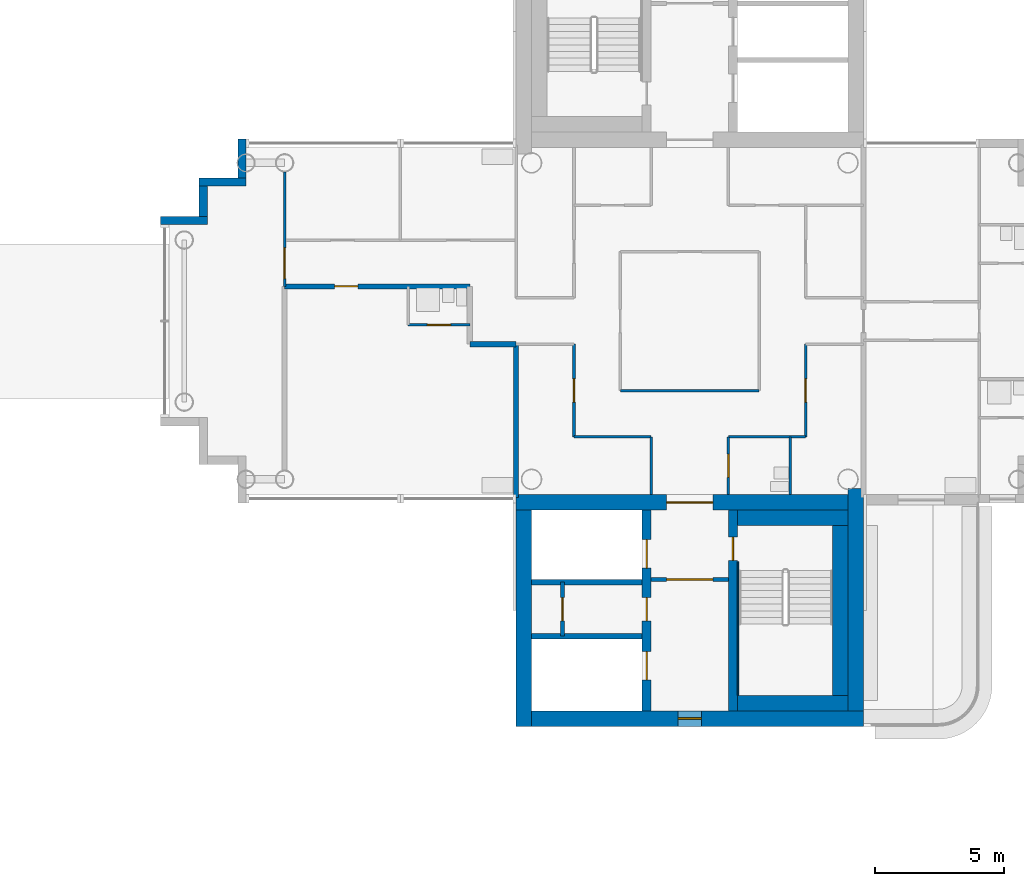
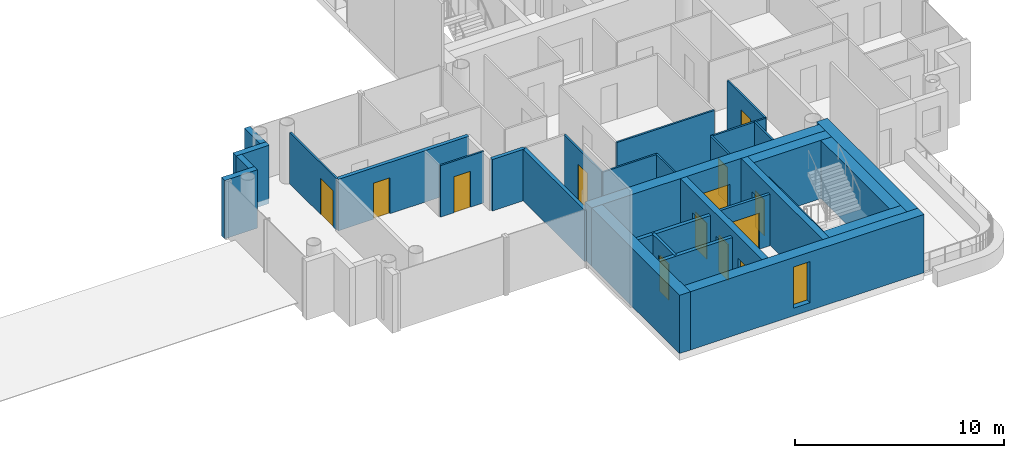
# One storey, part 10 of 19: 31 walls, 13 doors, 1 window, 14 openings.
"""IFC4 building model written with IfcOpenShell, lengths in metres."""

from ifc_helpers import new_model, si_unit, direction, frame, frame_2d, origin, place, context, subcontext, project, spatial, rectangle, extrude, material, layer, layer_set, type_object, element, fill, save


model = new_model("IFC4")

# Units and contexts
model_context = context("Model", 3, precision=1e-05, world=origin(), true_north=direction((0.0, 1.0)))
body_context = subcontext(model_context, "Body", "Model", "MODEL_VIEW")
ifc_project = project(units=[si_unit("LENGTHUNIT", "METRE"), si_unit("AREAUNIT", "SQUARE_METRE"), si_unit("VOLUMEUNIT", "CUBIC_METRE"), si_unit("PLANEANGLEUNIT", "RADIAN"), si_unit("MASSUNIT", "GRAM", prefix="KILO")], contexts=[model_context])

# Site, building, storey
site_placement = place(None, origin())
site = spatial("IfcSite", under=ifc_project, at=site_placement, CompositionType="ELEMENT")
building_placement = place(site_placement, origin())
building = spatial("IfcBuilding", under=site, at=building_placement, Name="Ipe Terrace Towers", CompositionType="ELEMENT")
storey_placement = place(building_placement, frame((0.0, 0.0, 185.800048828125)))
storey = spatial("IfcBuildingStorey", under=building, at=storey_placement, Name="L51", CompositionType="ELEMENT", Elevation=185.800048828125)

# Walls
ifc_material_1 = material(Name="Concrete C40/50 with buff precast cladding", Category="concrete")
ifc_layer_1 = layer(ifc_material_1, 0.320068359375)
ifc_layer_set_1 = layer_set([ifc_layer_1], Name="BUFF CLADDING WALL 320")
wall_type_1 = type_object("IfcWallType", Name="BUFF CLADDING WALL 320", PredefinedType="STANDARD", material=ifc_layer_set_1)
wall_1_placement = place(storey_placement, frame((18.590087890625, 7.070068359375, -0.300048828125), z_axis=(0.0, 0.0, 1.0), x_axis=(0.0, -1.0, 0.0)))
element("IfcWall", 1, at=wall_1_placement, inside=storey, type_object=wall_type_1, Name="T2-W-L51-22a wall", PredefinedType="STANDARD", context=body_context, shape_type="SweptSolid", body=[
    extrude(rectangle(XDim=1.5, YDim=0.320068359375, at=frame_2d((0.75, 0.0))), origin(), (0.0, 0.0, 1.0), 3.39990234375),
])
wall_2_placement = place(storey_placement, frame((18.75, 5.409912109375, -0.300048828125), z_axis=(0.0, 0.0, 1.0), x_axis=(-1.0, 0.0, 0.0)))
element("IfcWall", 2, at=wall_2_placement, inside=storey, type_object=wall_type_1, Name="T2-W-L51-23a wall", PredefinedType="STANDARD", context=body_context, shape_type="SweptSolid", body=[
    extrude(rectangle(XDim=1.820068359375, YDim=0.320068359375, at=frame_2d((0.91015625, 0.0))), origin(), (0.0, 0.0, 1.0), 3.39990234375),
])
wall_3_placement = place(storey_placement, frame((17.090087890625, 5.25, -0.300048828125), z_axis=(0.0, 0.0, 1.0), x_axis=(0.0, -1.0, 0.0)))
element("IfcWall", 3, at=wall_3_placement, inside=storey, type_object=wall_type_1, Name="T2-W-L51-24a wall", PredefinedType="STANDARD", context=body_context, shape_type="SweptSolid", body=[
    extrude(rectangle(XDim=1.179931640625, YDim=0.320068359375, at=frame_2d((0.58984375, 0.0))), origin(), (0.0, 0.0, 1.0), 3.39990234375),
])
wall_4_placement = place(storey_placement, frame((17.25, 3.909912109375, -0.300048828125), z_axis=(0.0, 0.0, 1.0), x_axis=(-1.0, 0.0, 0.0)))
element("IfcWall", 4, at=wall_4_placement, inside=storey, type_object=wall_type_1, Name="T2-W-L51-25a wall", PredefinedType="STANDARD", context=body_context, shape_type="SweptSolid", body=[
    extrude(rectangle(XDim=1.820068359375, YDim=0.320068359375, at=frame_2d((0.91015625, 0.0))), origin(), (0.0, 0.0, 1.0), 3.39990234375),
])
ifc_material_2 = material(Name="Gypsum board partition", Category="plasterboard")
ifc_layer_2 = layer(ifc_material_2, 0.10009765625)
ifc_layer_set_2 = layer_set([ifc_layer_2], Name="Gypsum board partition 100 mm")
wall_type_2 = type_object("IfcWallType", Name="Gypsum board partition 100 mm", PredefinedType="PARTITIONING", material=ifc_layer_set_2)
for number, where, z_axis, x_axis, name in (
    (5, (40.5, -4.5, 0.0), (0.0, 0.0, 1.0), (-1.0, 0.0, 0.0), "Gypsum board partition T2 L51 W01"),
    (6, (34.5, -4.5, 0.0), (0.0, 0.0, 1.0), (-1.0, 0.0, 0.0), "Gypsum board partition T2 L51 W02"),
):
    element("IfcWall", number, at=place(storey_placement, frame(where, z_axis=z_axis, x_axis=x_axis)), inside=storey, type_object=wall_type_2, Name=name, PredefinedType="PARTITIONING", context=body_context, shape_type="SweptSolid", body=[
        extrude(rectangle(XDim=3.0, YDim=0.10009765625, at=frame_2d((1.5, 0.0))), origin(), (0.0, 0.0, 1.0), 3.0),
    ])
wall_5_placement = place(storey_placement, frame((38.699951171875, -2.699951171875, 0.0), z_axis=(0.0, 0.0, 1.0), x_axis=(-1.0, 0.0, 0.0)))
element("IfcWall", 7, at=wall_5_placement, inside=storey, type_object=wall_type_2, Name="Gypsum board partition T2 L51 W04", PredefinedType="PARTITIONING", context=body_context, shape_type="SweptSolid", body=[
    extrude(rectangle(XDim=5.39990234375, YDim=0.10009765625, at=frame_2d((2.699951171875, 0.0))), origin(), (0.0, 0.0, 1.0), 3.0),
])

# Wall, opening, door
wall_6_placement = place(storey_placement, frame((27.449951171875, -0.14990234375, 0.0), z_axis=(0.0, 0.0, 1.0), x_axis=(-1.0, 0.0, 0.0)))
wall_6 = element("IfcWall", 8, at=wall_6_placement, inside=storey, type_object=wall_type_2, Name="Gypsum board partition T2 L51 W10", PredefinedType="PARTITIONING", context=body_context, shape_type="SweptSolid", body=[
    extrude(rectangle(XDim=2.39990234375, YDim=0.10009765625, at=frame_2d((1.199951171875, 0.0))), origin(), (0.0, 0.0, 1.0), 3.0),
])
opening_1_placement = place(wall_6_placement, frame((0.75, 0.0, 0.0)))
opening_1 = element("IfcOpeningElement", 9, at=opening_1_placement, cuts=wall_6, Name="Opening T2-Z4C-11", PredefinedType="OPENING", context=body_context, shape_type="SweptSolid", body=[
    extrude(rectangle(XDim=0.89990234375, YDim=2.10009765625, at=frame_2d((0.449951171875, 1.050048828125))), frame((0.0, 0.06005859375, 0.0), z_axis=(0.0, -1.0, 0.0), x_axis=(1.0, 0.0, 0.0)), (0.0, 0.0, 1.0), 0.1201171875),
])
ifc_material_3 = material(Name="Timber door leaf", Category="wood")
door_type_1 = type_object("IfcDoorType", Name="Bathroom door 900 x 2100", OperationType="NOTDEFINED", PredefinedType="DOOR", material=ifc_material_3)
door_1_placement = place(opening_1_placement, origin())
door_1 = element("IfcDoor", 10, at=door_1_placement, inside=storey, type_object=door_type_1, Name="Bathroom door T2-Z4C-11", OperationType="SINGLE_SWING_RIGHT", OverallHeight=2.10009765625, OverallWidth=0.89990234375, PredefinedType="DOOR", context=body_context, shape_type="SweptSolid", body=[
    extrude(rectangle(XDim=0.89990234375, YDim=2.10009765625, at=frame_2d((0.449951171875, 1.050048828125))), frame((0.0, 0.02490234375, 0.0), z_axis=(0.0, -1.0, 0.0), x_axis=(1.0, 0.0, 0.0)), (0.0, 0.0, 1.0), 0.050048828125),
])
fill(opening_1, door_1)

wall_7_placement = place(storey_placement, frame((40.5, -4.5, 0.0), z_axis=(0.0, 0.0, 1.0), x_axis=(0.0, 1.0, 0.0)))
wall_7 = element("IfcWall", 11, at=wall_7_placement, inside=storey, type_object=wall_type_2, Name="Gypsum board partition T2 L51 W25", PredefinedType="PARTITIONING", context=body_context, shape_type="SweptSolid", body=[
    extrude(rectangle(XDim=3.60009765625, YDim=0.10009765625, at=frame_2d((1.800048828125, 0.0))), origin(), (0.0, 0.0, 1.0), 3.0),
])
opening_2_placement = place(wall_7_placement, frame((1.35009765625, 0.0, 0.0)))
opening_2 = element("IfcOpeningElement", 12, at=opening_2_placement, cuts=wall_7, Name="Opening T2-Z4C-07", PredefinedType="OPENING", context=body_context, shape_type="SweptSolid", body=[
    extrude(rectangle(XDim=0.89990234375, YDim=2.10009765625, at=frame_2d((0.449951171875, 1.050048828125))), frame((0.0, 0.06005859375, 0.0), z_axis=(0.0, -1.0, 0.0), x_axis=(1.0, 0.0, 0.0)), (0.0, 0.0, 1.0), 0.1201171875),
])
ifc_material_4 = material(Name="Timber door leaf", Category="wood")
door_type_2 = type_object("IfcDoorType", Name="Lounge door 900 x 2100", OperationType="NOTDEFINED", PredefinedType="DOOR", material=ifc_material_4)
door_2_placement = place(opening_2_placement, origin())
door_2 = element("IfcDoor", 13, at=door_2_placement, inside=storey, type_object=door_type_2, Name="Lounge door T2-Z4C-07", OperationType="SINGLE_SWING_LEFT", OverallHeight=2.10009765625, OverallWidth=0.89990234375, PredefinedType="DOOR", context=body_context, shape_type="SweptSolid", body=[
    extrude(rectangle(XDim=0.89990234375, YDim=2.10009765625, at=frame_2d((0.449951171875, 1.050048828125))), frame((0.0, 0.02490234375, 0.0), z_axis=(0.0, -1.0, 0.0), x_axis=(1.0, 0.0, 0.0)), (0.0, 0.0, 1.0), 0.050048828125),
])
fill(opening_2, door_2)

# Wall
wall_8_placement = place(storey_placement, frame((39.89990234375, -6.75, 0.0), z_axis=(0.0, 0.0, 1.0), x_axis=(0.0, 1.0, 0.0)))
element("IfcWall", 14, at=wall_8_placement, inside=storey, type_object=wall_type_2, Name="Gypsum board partition T2 L51 W27", PredefinedType="PARTITIONING", context=body_context, shape_type="SweptSolid", body=[
    extrude(rectangle(XDim=2.25, YDim=0.10009765625, at=frame_2d((1.125, 0.0))), origin(), (0.0, 0.0, 1.0), 3.0),
])

# Wall, opening, door
wall_9_placement = place(storey_placement, frame((37.5, -6.75, 0.0), z_axis=(0.0, 0.0, 1.0), x_axis=(0.0, 1.0, 0.0)))
wall_9 = element("IfcWall", 15, at=wall_9_placement, inside=storey, type_object=wall_type_2, Name="Gypsum board partition T2 L51 W29", PredefinedType="PARTITIONING", context=body_context, shape_type="SweptSolid", body=[
    extrude(rectangle(XDim=2.25, YDim=0.10009765625, at=frame_2d((1.125, 0.0))), origin(), (0.0, 0.0, 1.0), 3.0),
])
opening_3_placement = place(wall_9_placement, frame((0.675048828125, 0.0, 0.0)))
opening_3 = element("IfcOpeningElement", 16, at=opening_3_placement, cuts=wall_9, Name="Opening T2-Z4C-03", PredefinedType="OPENING", context=body_context, shape_type="SweptSolid", body=[
    extrude(rectangle(XDim=0.89990234375, YDim=2.10009765625, at=frame_2d((0.449951171875, 1.050048828125))), frame((0.0, 0.06005859375, 0.0), z_axis=(0.0, -1.0, 0.0), x_axis=(1.0, 0.0, 0.0)), (0.0, 0.0, 1.0), 0.1201171875),
])
door_3_placement = place(opening_3_placement, origin())
door_3 = element("IfcDoor", 17, at=door_3_placement, inside=storey, type_object=door_type_1, Name="Bathroom door T2-Z4C-03", OperationType="SINGLE_SWING_RIGHT", OverallHeight=2.10009765625, OverallWidth=0.89990234375, PredefinedType="DOOR", context=body_context, shape_type="SweptSolid", body=[
    extrude(rectangle(XDim=0.89990234375, YDim=2.10009765625, at=frame_2d((0.449951171875, 1.050048828125))), frame((0.0, 0.02490234375, 0.0), z_axis=(0.0, -1.0, 0.0), x_axis=(1.0, 0.0, 0.0)), (0.0, 0.0, 1.0), 0.050048828125),
])
fill(opening_3, door_3)

# Wall
wall_10_placement = place(storey_placement, frame((34.5, -6.75, 0.0), z_axis=(0.0, 0.0, 1.0), x_axis=(0.0, 1.0, 0.0)))
element("IfcWall", 18, at=wall_10_placement, inside=storey, type_object=wall_type_2, Name="Gypsum board partition T2 L51 W31", PredefinedType="PARTITIONING", context=body_context, shape_type="SweptSolid", body=[
    extrude(rectangle(XDim=2.25, YDim=0.10009765625, at=frame_2d((1.125, 0.0))), origin(), (0.0, 0.0, 1.0), 3.0),
])

# Wall, opening, door
wall_11_placement = place(storey_placement, frame((31.5, -4.5, 0.0), z_axis=(0.0, 0.0, 1.0), x_axis=(0.0, 1.0, 0.0)))
wall_11 = element("IfcWall", 19, at=wall_11_placement, inside=storey, type_object=wall_type_2, Name="Gypsum board partition T2 L51 W34", PredefinedType="PARTITIONING", context=body_context, shape_type="SweptSolid", body=[
    extrude(rectangle(XDim=3.60009765625, YDim=0.10009765625, at=frame_2d((1.800048828125, 0.0))), origin(), (0.0, 0.0, 1.0), 3.0),
])
opening_4_placement = place(wall_11_placement, frame((1.35009765625, 0.0, 0.0)))
opening_4 = element("IfcOpeningElement", 20, at=opening_4_placement, cuts=wall_11, Name="Opening T2-Z4C-06", PredefinedType="OPENING", context=body_context, shape_type="SweptSolid", body=[
    extrude(rectangle(XDim=0.89990234375, YDim=2.10009765625, at=frame_2d((0.449951171875, 1.050048828125))), frame((0.0, 0.06005859375, 0.0), z_axis=(0.0, -1.0, 0.0), x_axis=(1.0, 0.0, 0.0)), (0.0, 0.0, 1.0), 0.1201171875),
])
door_4_placement = place(opening_4_placement, origin())
door_4 = element("IfcDoor", 21, at=door_4_placement, inside=storey, type_object=door_type_2, Name="Lounge door T2-Z4C-06", OperationType="SINGLE_SWING_LEFT", OverallHeight=2.10009765625, OverallWidth=0.89990234375, PredefinedType="DOOR", context=body_context, shape_type="SweptSolid", body=[
    extrude(rectangle(XDim=0.89990234375, YDim=2.10009765625, at=frame_2d((0.449951171875, 1.050048828125))), frame((0.0, 0.02490234375, 0.0), z_axis=(0.0, -1.0, 0.0), x_axis=(1.0, 0.0, 0.0)), (0.0, 0.0, 1.0), 0.050048828125),
])
fill(opening_4, door_4)

wall_12_placement = place(storey_placement, frame((20.25, 1.35009765625, 0.0), z_axis=(0.0, 0.0, 1.0), x_axis=(0.0, 1.0, 0.0)))
wall_12 = element("IfcWall", 22, at=wall_12_placement, inside=storey, type_object=wall_type_2, Name="Gypsum board partition T2 L51 W41", PredefinedType="PARTITIONING", context=body_context, shape_type="SweptSolid", body=[
    extrude(rectangle(XDim=4.449951171875, YDim=0.10009765625, at=frame_2d((2.22509765625, 0.0))), origin(), (0.0, 0.0, 1.0), 3.0),
])
opening_5_placement = place(wall_12_placement, frame((0.300048828125, 0.0, 0.0)))
opening_5 = element("IfcOpeningElement", 23, at=opening_5_placement, cuts=wall_12, Name="Opening T2-Z4C-14", PredefinedType="OPENING", context=body_context, shape_type="SweptSolid", body=[
    extrude(rectangle(XDim=1.199951171875, YDim=2.10009765625, at=frame_2d((0.60009765625, 1.050048828125))), frame((0.0, 0.06005859375, 0.0), z_axis=(0.0, -1.0, 0.0), x_axis=(1.0, 0.0, 0.0)), (0.0, 0.0, 1.0), 0.1201171875),
])
ifc_material_5 = material(Name="Timber door leaf", Category="wood")
door_type_3 = type_object("IfcDoorType", Name="Lounge door 1200 x 2100", OperationType="NOTDEFINED", PredefinedType="DOOR", material=ifc_material_5)
door_5_placement = place(opening_5_placement, origin())
door_5 = element("IfcDoor", 24, at=door_5_placement, inside=storey, type_object=door_type_3, Name="Lounge door T2-Z4C-14", OperationType="SINGLE_SWING_RIGHT", OverallHeight=2.10009765625, OverallWidth=1.199951171875, PredefinedType="DOOR", context=body_context, shape_type="SweptSolid", body=[
    extrude(rectangle(XDim=1.199951171875, YDim=2.10009765625, at=frame_2d((0.60009765625, 1.050048828125))), frame((0.0, 0.02490234375, 0.0), z_axis=(0.0, -1.0, 0.0), x_axis=(1.0, 0.0, 0.0)), (0.0, 0.0, 1.0), 0.050048828125),
])
fill(opening_5, door_5)

ifc_material_6 = material(Name="Gypsum board partition", Category="plasterboard")
ifc_layer_3 = layer(ifc_material_6, 0.14990234375)
ifc_layer_set_3 = layer_set([ifc_layer_3], Name="Gypsum board partition 150 mm")
wall_type_3 = type_object("IfcWallType", Name="Gypsum board partition 150 mm", PredefinedType="PARTITIONING", material=ifc_layer_set_3)
wall_13_placement = place(storey_placement, frame((34.5, -10.050048828125, 0.0), z_axis=(0.0, 0.0, 1.0), x_axis=(1.0, 0.0, 0.0)))
wall_13 = element("IfcWall", 25, at=wall_13_placement, inside=storey, type_object=wall_type_3, Name="Gypsum board partition T2 L51 t2c2-lobby-wall", PredefinedType="PARTITIONING", context=body_context, shape_type="SweptSolid", body=[
    extrude(rectangle(XDim=3.0, YDim=0.14990234375, at=frame_2d((1.5, 0.0))), origin(), (0.0, 0.0, 1.0), 3.0),
])
opening_6_placement = place(wall_13_placement, frame((0.60009765625, 0.0, 0.0)))
opening_6 = element("IfcOpeningElement", 26, at=opening_6_placement, cuts=wall_13, Name="Opening T2C2-VD", PredefinedType="OPENING", context=body_context, shape_type="SweptSolid", body=[
    extrude(rectangle(XDim=1.800048828125, YDim=2.10009765625, at=frame_2d((0.89990234375, 1.050048828125))), frame((0.0, 0.0849609375, 0.0), z_axis=(0.0, -1.0, 0.0), x_axis=(1.0, 0.0, 0.0)), (0.0, 0.0, 1.0), 0.169921875),
])
ifc_material_7 = material(Name="Fire-rated timber door leaf", Category="wood")
door_type_4 = type_object("IfcDoorType", Name="Lobby door 1800 x 2100 FD60", OperationType="NOTDEFINED", PredefinedType="DOOR", material=ifc_material_7)
door_6_placement = place(opening_6_placement, origin())
door_6 = element("IfcDoor", 27, at=door_6_placement, inside=storey, type_object=door_type_4, Name="Lobby door T2C2-VD", OperationType="SINGLE_SWING_LEFT", OverallHeight=2.10009765625, OverallWidth=1.800048828125, PredefinedType="DOOR", context=body_context, shape_type="SweptSolid", body=[
    extrude(rectangle(XDim=1.800048828125, YDim=2.10009765625, at=frame_2d((0.89990234375, 1.050048828125))), frame((0.0, 0.02490234375, 0.0), z_axis=(0.0, -1.0, 0.0), x_axis=(1.0, 0.0, 0.0)), (0.0, 0.0, 1.0), 0.050048828125),
])
fill(opening_6, door_6)

wall_14_placement = place(storey_placement, frame((31.050048828125, -10.14990234375, 0.0), z_axis=(0.0, 0.0, 1.0), x_axis=(0.0, -1.0, 0.0)))
wall_14 = element("IfcWall", 28, at=wall_14_placement, inside=storey, type_object=wall_type_3, Name="Gypsum board partition T2 L51 t2c2-q-back", PredefinedType="PARTITIONING", context=body_context, shape_type="SweptSolid", body=[
    extrude(rectangle(XDim=2.10009765625, YDim=0.14990234375, at=frame_2d((1.050048828125, 0.0))), origin(), (0.0, 0.0, 1.0), 3.0),
])
opening_7_placement = place(wall_14_placement, frame((0.60009765625, 0.0, 0.0)))
opening_7 = element("IfcOpeningElement", 29, at=opening_7_placement, cuts=wall_14, Name="Opening T2C2-RB", PredefinedType="OPENING", context=body_context, shape_type="SweptSolid", body=[
    extrude(rectangle(XDim=0.89990234375, YDim=2.10009765625, at=frame_2d((0.449951171875, 1.050048828125))), frame((0.0, 0.0849609375, 0.0), z_axis=(0.0, -1.0, 0.0), x_axis=(1.0, 0.0, 0.0)), (0.0, 0.0, 1.0), 0.169921875),
])
ifc_material_8 = material(Name="Fire-rated timber door leaf", Category="wood")
door_type_5 = type_object("IfcDoorType", Name="Service door 900 x 2100 FD60", OperationType="NOTDEFINED", PredefinedType="DOOR", material=ifc_material_8)
door_7_placement = place(opening_7_placement, origin())
door_7 = element("IfcDoor", 30, at=door_7_placement, inside=storey, type_object=door_type_5, Name="Service door T2C2-RB", OperationType="SINGLE_SWING_LEFT", OverallHeight=2.10009765625, OverallWidth=0.89990234375, PredefinedType="DOOR", context=body_context, shape_type="SweptSolid", body=[
    extrude(rectangle(XDim=0.89990234375, YDim=2.10009765625, at=frame_2d((0.449951171875, 1.050048828125))), frame((0.0, 0.02490234375, 0.0), z_axis=(0.0, -1.0, 0.0), x_axis=(1.0, 0.0, 0.0)), (0.0, 0.0, 1.0), 0.050048828125),
])
fill(opening_7, door_7)

# Walls
ifc_material_9 = material(Name="Gypsum board party wall", Category="plasterboard")
ifc_layer_4 = layer(ifc_material_9, 0.199951171875)
ifc_layer_set_4 = layer_set([ifc_layer_4], Name="Gypsum board party wall 200 mm")
wall_type_4 = type_object("IfcWallType", Name="Gypsum board party wall 200 mm", PredefinedType="SOLIDWALL", material=ifc_layer_set_4)
for number, where, z_axis, x_axis, name in (
    (31, (29.85009765625, -12.25, 0.0), (0.0, 0.0, 1.0), (1.0, 0.0, 0.0), "Gypsum board party wall T2 L51 t2c2-shaft-div2"),
    (32, (29.85009765625, -10.14990234375, 0.0), (0.0, 0.0, 1.0), (1.0, 0.0, 0.0), "Gypsum board party wall T2 L51 t2c2-shaft-div1"),
):
    element("IfcWall", number, at=place(storey_placement, frame(where, z_axis=z_axis, x_axis=x_axis)), inside=storey, type_object=wall_type_4, Name=name, PredefinedType="SOLIDWALL", context=body_context, shape_type="SweptSolid", body=[
        extrude(rectangle(XDim=4.2998046875, YDim=0.199951171875, at=frame_2d((2.14990234375, 0.0))), origin(), (0.0, 0.0, 1.0), 3.0),
    ])
wall_15_placement = place(storey_placement, frame((29.25, -0.89990234375, 0.0), z_axis=(0.0, 0.0, 1.0), x_axis=(-1.0, 0.0, 0.0)))
element("IfcWall", 33, at=wall_15_placement, inside=storey, type_object=wall_type_4, Name="Gypsum board party wall T2 L51 W08", PredefinedType="SOLIDWALL", context=body_context, shape_type="SweptSolid", body=[
    extrude(rectangle(XDim=1.800048828125, YDim=0.199951171875, at=frame_2d((0.89990234375, 0.0))), origin(), (0.0, 0.0, 1.0), 3.0),
])

# Wall, opening, door
wall_16_placement = place(storey_placement, frame((27.449951171875, 1.35009765625, 0.0), z_axis=(0.0, 0.0, 1.0), x_axis=(-1.0, 0.0, 0.0)))
wall_16 = element("IfcWall", 34, at=wall_16_placement, inside=storey, type_object=wall_type_4, Name="Gypsum board party wall T2 L51 W14", PredefinedType="SOLIDWALL", context=body_context, shape_type="SweptSolid", body=[
    extrude(rectangle(XDim=7.199951171875, YDim=0.199951171875, at=frame_2d((3.60009765625, 0.0))), origin(), (0.0, 0.0, 1.0), 3.0),
])
opening_8_placement = place(wall_16_placement, frame((4.35009765625, 0.0, 0.0)))
opening_8 = element("IfcOpeningElement", 35, at=opening_8_placement, cuts=wall_16, Name="Opening T2-Z4C-10", PredefinedType="OPENING", context=body_context, shape_type="SweptSolid", body=[
    extrude(rectangle(XDim=0.89990234375, YDim=2.10009765625, at=frame_2d((0.449951171875, 1.050048828125))), frame((0.0, 0.10986328125, 0.0), z_axis=(0.0, -1.0, 0.0), x_axis=(1.0, 0.0, 0.0)), (0.0, 0.0, 1.0), 0.219970703125),
])
ifc_material_10 = material(Name="Fire-rated timber door leaf", Category="wood")
door_type_6 = type_object("IfcDoorType", Name="Flat entrance door 900 x 2100 FD30S", OperationType="NOTDEFINED", PredefinedType="DOOR", material=ifc_material_10)
door_8_placement = place(opening_8_placement, origin())
door_8 = element("IfcDoor", 36, at=door_8_placement, inside=storey, type_object=door_type_6, Name="Flat entrance door T2-Z4C-10", OperationType="SINGLE_SWING_LEFT", OverallHeight=2.10009765625, OverallWidth=0.89990234375, PredefinedType="DOOR", context=body_context, shape_type="SweptSolid", body=[
    extrude(rectangle(XDim=0.89990234375, YDim=2.10009765625, at=frame_2d((0.449951171875, 1.050048828125))), frame((0.0, 0.02490234375, 0.0), z_axis=(0.0, -1.0, 0.0), x_axis=(1.0, 0.0, 0.0)), (0.0, 0.0, 1.0), 0.050048828125),
])
fill(opening_8, door_8)

# Wall
wall_17_placement = place(storey_placement, frame((29.25, -6.85009765625, 0.0), z_axis=(0.0, 0.0, 1.0), x_axis=(0.0, 1.0, 0.0)))
element("IfcWall", 37, at=wall_17_placement, inside=storey, type_object=wall_type_4, Name="Gypsum board party wall T2 L51 W37", PredefinedType="SOLIDWALL", context=body_context, shape_type="SweptSolid", body=[
    extrude(rectangle(XDim=5.9501953125, YDim=0.199951171875, at=frame_2d((2.97509765625, 0.0))), origin(), (0.0, 0.0, 1.0), 3.0),
])

# Wall, openings, doors
ifc_material_11 = material(Name="Concrete C40/50", Category="concrete")
ifc_layer_5 = layer(ifc_material_11, 0.35009765625)
ifc_layer_set_5 = layer_set([ifc_layer_5], Name="RW350 CORE SPINE WALL 350 C40-50")
wall_type_5 = type_object("IfcWallType", Name="RW350 CORE SPINE WALL 350 C40-50", PredefinedType="SHEAR", material=ifc_layer_set_5)
wall_18_placement = place(storey_placement, frame((34.324951171875, -15.14990234375, 0.0), z_axis=(0.0, 0.0, 1.0), x_axis=(0.0, 1.0, 0.0)))
wall_18 = element("IfcWall", 38, at=wall_18_placement, inside=storey, type_object=wall_type_5, Name="Core spine wall T2-C2-Z4-SW1", PredefinedType="SHEAR", context=body_context, shape_type="SweptSolid", body=[
    extrude(rectangle(XDim=7.7998046875, YDim=0.35009765625, at=frame_2d((3.89990234375, 0.0))), origin(), (0.0, 0.0, 1.0), 3.39990234375),
])
opening_9_placement = place(wall_18_placement, frame((5.550048828125, 0.0, 0.0)))
opening_9 = element("IfcOpeningElement", 39, at=opening_9_placement, cuts=wall_18, Name="Opening T2C2-LD1", PredefinedType="OPENING", context=body_context, shape_type="SweptSolid", body=[
    extrude(rectangle(XDim=1.10009765625, YDim=2.10009765625, at=frame_2d((0.550048828125, 1.050048828125))), frame((0.0, 0.18505859375, 0.0), z_axis=(0.0, -1.0, 0.0), x_axis=(1.0, 0.0, 0.0)), (0.0, 0.0, 1.0), 0.3701171875),
])
opening_10_placement = place(wall_18_placement, frame((1.199951171875, 0.0, 0.0)))
opening_10 = element("IfcOpeningElement", 40, at=opening_10_placement, cuts=wall_18, Name="Opening T2C2-LD3", PredefinedType="OPENING", context=body_context, shape_type="SweptSolid", body=[
    extrude(rectangle(XDim=1.10009765625, YDim=2.10009765625, at=frame_2d((0.550048828125, 1.050048828125))), frame((0.0, 0.18505859375, 0.0), z_axis=(0.0, -1.0, 0.0), x_axis=(1.0, 0.0, 0.0)), (0.0, 0.0, 1.0), 0.3701171875),
])
opening_11_placement = place(wall_18_placement, frame((3.5, 0.0, 0.0)))
opening_11 = element("IfcOpeningElement", 41, at=opening_11_placement, cuts=wall_18, Name="Opening T2C2-R1", PredefinedType="OPENING", context=body_context, shape_type="SweptSolid", body=[
    extrude(rectangle(XDim=0.89990234375, YDim=2.10009765625, at=frame_2d((0.449951171875, 1.050048828125))), frame((0.0, 0.18505859375, 0.0), z_axis=(0.0, -1.0, 0.0), x_axis=(1.0, 0.0, 0.0)), (0.0, 0.0, 1.0), 0.3701171875),
])
ifc_material_12 = material(Name="Fire-rated timber door leaf", Category="wood")
door_type_7 = type_object("IfcDoorType", Name="Sliding door 1100 x 2100 FD60", OperationType="SLIDING_TO_LEFT", PredefinedType="DOOR", material=ifc_material_12)
door_9_placement = place(opening_9_placement, origin())
door_9 = element("IfcDoor", 42, at=door_9_placement, inside=storey, type_object=door_type_7, Name="Sliding door T2C2-LD1", OperationType="SLIDING_TO_LEFT", OverallHeight=2.10009765625, OverallWidth=1.10009765625, PredefinedType="DOOR", context=body_context, shape_type="SweptSolid", body=[
    extrude(rectangle(XDim=1.10009765625, YDim=2.10009765625, at=frame_2d((0.550048828125, 1.050048828125))), frame((0.0, 0.02490234375, 0.0), z_axis=(0.0, -1.0, 0.0), x_axis=(1.0, 0.0, 0.0)), (0.0, 0.0, 1.0), 0.050048828125),
])
fill(opening_9, door_9)
door_10_placement = place(opening_10_placement, origin())
door_10 = element("IfcDoor", 43, at=door_10_placement, inside=storey, type_object=door_type_7, Name="Sliding door T2C2-LD3", OperationType="SLIDING_TO_LEFT", OverallHeight=2.10009765625, OverallWidth=1.10009765625, PredefinedType="DOOR", context=body_context, shape_type="SweptSolid", body=[
    extrude(rectangle(XDim=1.10009765625, YDim=2.10009765625, at=frame_2d((0.550048828125, 1.050048828125))), frame((0.0, 0.02490234375, 0.0), z_axis=(0.0, -1.0, 0.0), x_axis=(1.0, 0.0, 0.0)), (0.0, 0.0, 1.0), 0.050048828125),
])
fill(opening_10, door_10)
ifc_material_13 = material(Name="Timber door leaf", Category="wood")
door_type_8 = type_object("IfcDoorType", Name="Store door 900 x 2100", OperationType="NOTDEFINED", PredefinedType="DOOR", material=ifc_material_13)
door_11_placement = place(opening_11_placement, origin())
door_11 = element("IfcDoor", 44, at=door_11_placement, inside=storey, type_object=door_type_8, Name="Store door T2C2-R1", OperationType="SINGLE_SWING_LEFT", OverallHeight=2.10009765625, OverallWidth=0.89990234375, PredefinedType="DOOR", context=body_context, shape_type="SweptSolid", body=[
    extrude(rectangle(XDim=0.89990234375, YDim=2.10009765625, at=frame_2d((0.449951171875, 1.050048828125))), frame((0.0, 0.02490234375, 0.0), z_axis=(0.0, -1.0, 0.0), x_axis=(1.0, 0.0, 0.0)), (0.0, 0.0, 1.0), 0.050048828125),
])
fill(opening_11, door_11)

# Wall, opening, door
wall_19_placement = place(storey_placement, frame((37.675048828125, -15.14990234375, 0.0), z_axis=(0.0, 0.0, 1.0), x_axis=(0.0, 1.0, 0.0)))
wall_19 = element("IfcWall", 45, at=wall_19_placement, inside=storey, type_object=wall_type_5, Name="Core spine wall T2-C2-Z4-SW2", PredefinedType="SHEAR", context=body_context, shape_type="SweptSolid", body=[
    extrude(rectangle(XDim=7.7998046875, YDim=0.35009765625, at=frame_2d((3.89990234375, 0.0))), origin(), (0.0, 0.0, 1.0), 3.39990234375),
])
opening_12_placement = place(wall_19_placement, frame((5.85009765625, 0.0, 0.0)))
opening_12 = element("IfcOpeningElement", 46, at=opening_12_placement, cuts=wall_19, Name="Opening T2C2-SD", PredefinedType="OPENING", context=body_context, shape_type="SweptSolid", body=[
    extrude(rectangle(XDim=0.89990234375, YDim=2.10009765625, at=frame_2d((0.449951171875, 1.050048828125))), frame((0.0, 0.18505859375, 0.0), z_axis=(0.0, -1.0, 0.0), x_axis=(1.0, 0.0, 0.0)), (0.0, 0.0, 1.0), 0.3701171875),
])
ifc_material_14 = material(Name="Fire-rated timber door leaf", Category="wood")
door_type_9 = type_object("IfcDoorType", Name="Stair door 900 x 2100 FD60", OperationType="NOTDEFINED", PredefinedType="DOOR", material=ifc_material_14)
door_12_placement = place(opening_12_placement, origin())
door_12 = element("IfcDoor", 47, at=door_12_placement, inside=storey, type_object=door_type_9, Name="Stair door T2C2-SD", OperationType="SINGLE_SWING_RIGHT", OverallHeight=2.10009765625, OverallWidth=0.89990234375, PredefinedType="DOOR", context=body_context, shape_type="SweptSolid", body=[
    extrude(rectangle(XDim=0.89990234375, YDim=2.10009765625, at=frame_2d((0.449951171875, 1.050048828125))), frame((0.0, 0.02490234375, 0.0), z_axis=(0.0, -1.0, 0.0), x_axis=(1.0, 0.0, 0.0)), (0.0, 0.0, 1.0), 0.050048828125),
])
fill(opening_12, door_12)

# Walls
ifc_material_15 = material(Name="Concrete C40/50", Category="concrete")
ifc_layer_6 = layer(ifc_material_15, 0.050048828125)
ifc_layer_set_6 = layer_set([ifc_layer_6], Name="RW50 CORE INFILL WALL 50 C40-50")
wall_type_6 = type_object("IfcWallType", Name="RW50 CORE INFILL WALL 50 C40-50", PredefinedType="SHEAR", material=ifc_layer_set_6)
wall_20_placement = place(storey_placement, frame((37.875, -9.35009765625, 0.0), z_axis=(0.0, 0.0, 1.0), x_axis=(0.0, -1.0, 0.0)))
element("IfcWall", 48, at=wall_20_placement, inside=storey, type_object=wall_type_6, Name="Core infill wall T2-C2-spine-b", PredefinedType="SHEAR", context=body_context, shape_type="SweptSolid", body=[
    extrude(rectangle(XDim=5.199951171875, YDim=0.050048828125, at=frame_2d((2.60009765625, 0.0))), origin(), (0.0, 0.0, 1.0), 3.39990234375),
])
ifc_material_16 = material(Name="Concrete C40/50", Category="concrete")
ifc_layer_7 = layer(ifc_material_16, 0.60009765625)
ifc_layer_set_7 = layer_set([ifc_layer_7], Name="RW600 CORE INFILL WALL 600 C40-50")
wall_type_7 = type_object("IfcWallType", Name="RW600 CORE INFILL WALL 600 C40-50", PredefinedType="SHEAR", material=ifc_layer_set_7)
wall_21_placement = place(storey_placement, frame((37.85009765625, -14.85009765625, 0.0), z_axis=(0.0, 0.0, 1.0), x_axis=(1.0, 0.0, 0.0)))
element("IfcWall", 49, at=wall_21_placement, inside=storey, type_object=wall_type_7, Name="Core infill wall T2-C2-far", PredefinedType="SHEAR", context=body_context, shape_type="SweptSolid", body=[
    extrude(rectangle(XDim=4.2998046875, YDim=0.60009765625, at=frame_2d((2.14990234375, 0.0))), origin(), (0.0, 0.0, 1.0), 3.39990234375),
])
wall_22_placement = place(storey_placement, frame((41.85009765625, -7.949951171875, 0.0), z_axis=(0.0, 0.0, 1.0), x_axis=(0.0, -1.0, 0.0)))
element("IfcWall", 50, at=wall_22_placement, inside=storey, type_object=wall_type_7, Name="Core infill wall T2-C2-back", PredefinedType="SHEAR", context=body_context, shape_type="SweptSolid", body=[
    extrude(rectangle(XDim=6.60009765625, YDim=0.60009765625, at=frame_2d((3.300048828125, 0.0))), origin(), (0.0, 0.0, 1.0), 3.39990234375),
])
wall_23_placement = place(storey_placement, frame((37.85009765625, -7.64990234375, 0.0), z_axis=(0.0, 0.0, 1.0), x_axis=(1.0, 0.0, 0.0)))
element("IfcWall", 51, at=wall_23_placement, inside=storey, type_object=wall_type_7, Name="Core infill wall T2-C2-near", PredefinedType="SHEAR", context=body_context, shape_type="SweptSolid", body=[
    extrude(rectangle(XDim=4.2998046875, YDim=0.60009765625, at=frame_2d((2.14990234375, 0.0))), origin(), (0.0, 0.0, 1.0), 3.39990234375),
])

# Wall, opening, window
ifc_material_17 = material(Name="Concrete C40/50", Category="concrete")
ifc_layer_8 = layer(ifc_material_17, 0.60009765625)
ifc_layer_set_8 = layer_set([ifc_layer_8], Name="RW600 CORE WALL 600 C40-50")
wall_type_8 = type_object("IfcWallType", Name="RW600 CORE WALL 600 C40-50", PredefinedType="SHEAR", material=ifc_layer_set_8)
wall_24_placement = place(storey_placement, frame((29.85009765625, -15.449951171875, 0.0), z_axis=(0.0, 0.0, 1.0), x_axis=(1.0, 0.0, 0.0)))
wall_24 = element("IfcWall", 52, at=wall_24_placement, inside=storey, type_object=wall_type_8, Name="Core wall T2-C2-Z4-W01", PredefinedType="SHEAR", context=body_context, shape_type="SweptSolid", body=[
    extrude(rectangle(XDim=12.89990234375, YDim=0.60009765625, at=frame_2d((6.449951171875, 0.0))), origin(), (0.0, 0.0, 1.0), 3.39990234375),
])
opening_13_placement = place(wall_24_placement, frame((5.699951171875, 0.0, 0.449951171875)))
opening_13 = element("IfcOpeningElement", 53, at=opening_13_placement, cuts=wall_24, Name="Opening T2-C2-W-01-L51", PredefinedType="OPENING", context=body_context, shape_type="SweptSolid", body=[
    extrude(rectangle(XDim=0.89990234375, YDim=2.39990234375, at=frame_2d((0.449951171875, 1.199951171875))), frame((0.0, 0.31005859375, 0.0), z_axis=(0.0, -1.0, 0.0), x_axis=(1.0, 0.0, 0.0)), (0.0, 0.0, 1.0), 0.6201171875),
])
ifc_material_18 = material(Name="Fire-resistant glazing EI 60", Category="glass")
window_type = type_object("IfcWindowType", Name="CORRIDOR END SLOT WINDOW 900 x 2400 EI 60", PartitioningType="SINGLE_PANEL", PredefinedType="WINDOW", material=ifc_material_18)
window_placement = place(opening_13_placement, origin())
window = element("IfcWindow", 54, at=window_placement, inside=storey, type_object=window_type, Name="W-01 window", OverallHeight=2.39990234375, OverallWidth=0.89990234375, PartitioningType="SINGLE_PANEL", PredefinedType="WINDOW", context=body_context, shape_type="SweptSolid", body=[
    extrude(rectangle(XDim=0.89990234375, YDim=2.39990234375, at=frame_2d((0.449951171875, 1.199951171875))), frame((0.0, 0.030029296875, 0.0), z_axis=(0.0, -1.0, 0.0), x_axis=(1.0, 0.0, 0.0)), (0.0, 0.0, 1.0), 0.06005859375),
])
fill(opening_13, window)

# Wall
wall_25_placement = place(storey_placement, frame((42.449951171875, -15.14990234375, 0.0), z_axis=(0.0, 0.0, 1.0), x_axis=(0.0, 1.0, 0.0)))
element("IfcWall", 55, at=wall_25_placement, inside=storey, type_object=wall_type_8, Name="Core wall T2-C2-Z4-W02", PredefinedType="SHEAR", context=body_context, shape_type="SweptSolid", body=[
    extrude(rectangle(XDim=8.64794921875, YDim=0.60009765625, at=frame_2d((4.323974609375, 0.0))), origin(), (0.0, 0.0, 1.0), 3.39990234375),
])

# Wall, opening, door
wall_26_placement = place(storey_placement, frame((42.14990234375, -7.050048828125, 0.0), z_axis=(0.0, 0.0, 1.0), x_axis=(-1.0, 0.0, 0.0)))
wall_26 = element("IfcWall", 56, at=wall_26_placement, inside=storey, type_object=wall_type_8, Name="Core wall T2-C2-Z4-W03", PredefinedType="SHEAR", context=body_context, shape_type="SweptSolid", body=[
    extrude(rectangle(XDim=12.89990234375, YDim=0.60009765625, at=frame_2d((6.449951171875, 0.0))), origin(), (0.0, 0.0, 1.0), 3.39990234375),
])
opening_14_placement = place(wall_26_placement, frame((5.25, 0.0, 0.0)))
opening_14 = element("IfcOpeningElement", 57, at=opening_14_placement, cuts=wall_26, Name="Opening T2C2-ND", PredefinedType="OPENING", context=body_context, shape_type="SweptSolid", body=[
    extrude(rectangle(XDim=1.800048828125, YDim=2.10009765625, at=frame_2d((0.89990234375, 1.050048828125))), frame((0.0, 0.31005859375, 0.0), z_axis=(0.0, -1.0, 0.0), x_axis=(1.0, 0.0, 0.0)), (0.0, 0.0, 1.0), 0.6201171875),
])
ifc_material_19 = material(Name="Fire-rated timber door leaf", Category="wood")
door_type_10 = type_object("IfcDoorType", Name="Fire door 1800 x 2100 FD30S", OperationType="NOTDEFINED", PredefinedType="DOOR", material=ifc_material_19)
door_13_placement = place(opening_14_placement, origin())
door_13 = element("IfcDoor", 58, at=door_13_placement, inside=storey, type_object=door_type_10, Name="Fire door T2C2-ND", OperationType="SINGLE_SWING_LEFT", OverallHeight=2.10009765625, OverallWidth=1.800048828125, PredefinedType="DOOR", context=body_context, shape_type="SweptSolid", body=[
    extrude(rectangle(XDim=1.800048828125, YDim=2.10009765625, at=frame_2d((0.89990234375, 1.050048828125))), frame((0.0, 0.02490234375, 0.0), z_axis=(0.0, -1.0, 0.0), x_axis=(1.0, 0.0, 0.0)), (0.0, 0.0, 1.0), 0.050048828125),
])
fill(opening_14, door_13)

# Wall
wall_27_placement = place(storey_placement, frame((29.550048828125, -7.35009765625, 0.0), z_axis=(0.0, 0.0, 1.0), x_axis=(0.0, -1.0, 0.0)))
element("IfcWall", 59, at=wall_27_placement, inside=storey, type_object=wall_type_8, Name="Core wall T2-C2-Z4-W04", PredefinedType="SHEAR", context=body_context, shape_type="SweptSolid", body=[
    extrude(rectangle(XDim=8.39990234375, YDim=0.60009765625, at=frame_2d((4.199951171875, 0.0))), origin(), (0.0, 0.0, 1.0), 3.39990234375),
])

save(model, "model.ifc")
